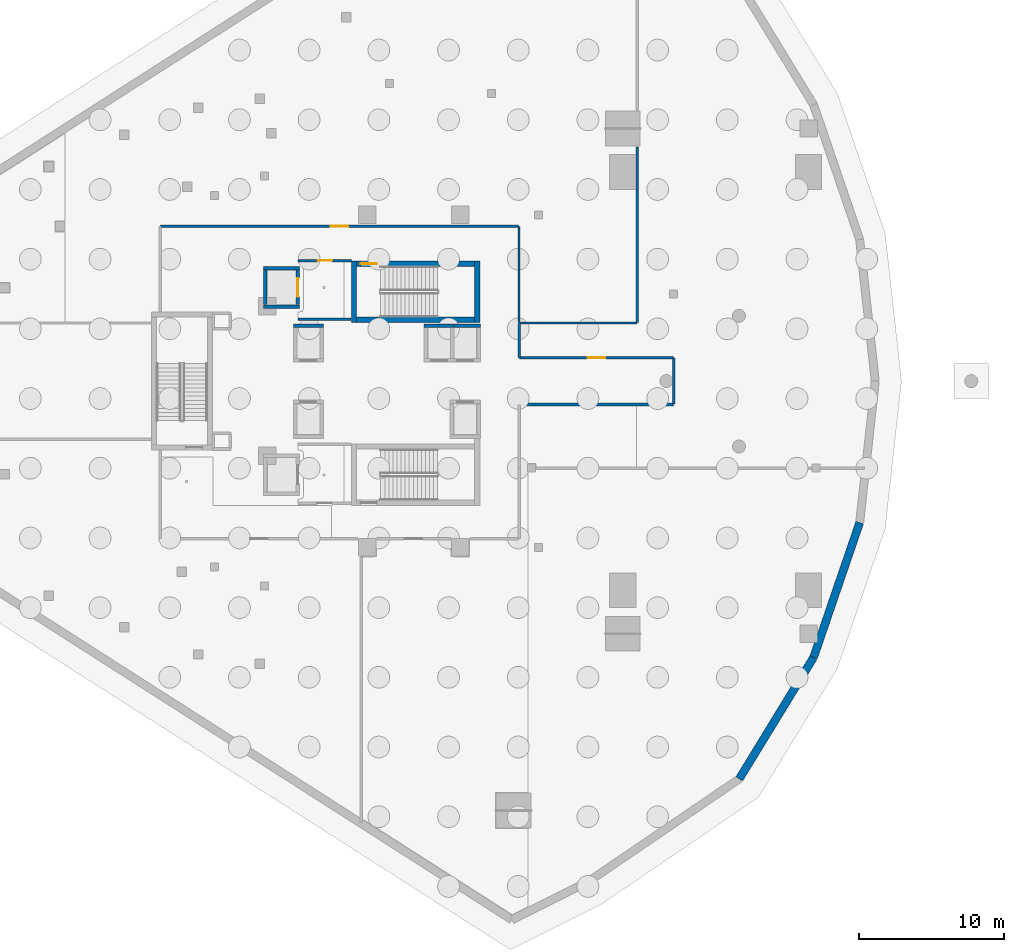
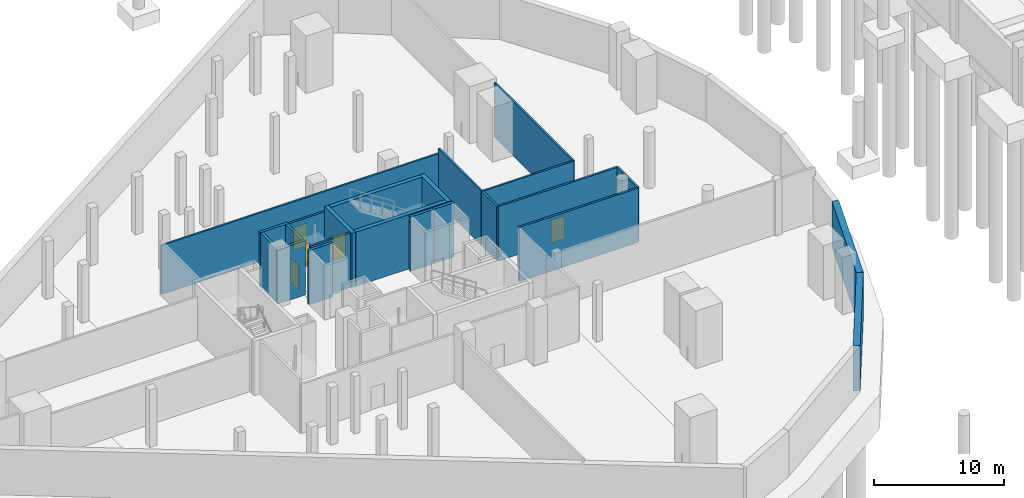
# One storey, part 6 of 22: 23 walls, 5 doors, 5 openings.
"""IFC4 building model written with IfcOpenShell, lengths in metres."""

import ifcopenshell
import ifcopenshell.guid

model = None  # the IFC model being written
_history = None  # IfcOwnerHistory: only IFC2X3 demands one
_inside = {}  # id of a spatial element -> (the spatial element, [elements in it])
_under = {}  # id of a project, library or spatial element -> (it, [spatial elements below it])
_declared = {}  # id of a project -> (the project, [libraries it declares])
_typed = {}  # id of a type object -> (the type object, [elements of that type])
_made_of = {}  # id of a material, layer set ... -> (it, [elements and type objects made of it])


def new_model(schema):
    """Start an empty IFC model of exactly this schema.

    Asked for "IFC4X3", IfcOpenShell would pick the latest addendum, in which some entities
    have other attributes; the version numbers below select the first issue.
    IFC2X3 requires an IfcOwnerHistory on every rooted entity: one is made here for all.
    """
    global model, _history
    if schema == "IFC4X3":
        model = ifcopenshell.file(schema_version=(4, 3, 0, 0))
    else:
        model = ifcopenshell.file(schema=schema)
    _inside.clear()
    _under.clear()
    _declared.clear()
    _typed.clear()
    _made_of.clear()
    _history = None
    if model.schema == "IFC2X3":
        org = make("IfcOrganization", Name="unknown")
        user = make(
            "IfcPersonAndOrganization",
            ThePerson=make("IfcPerson", FamilyName="unknown"),
            TheOrganization=org,
        )
        app = make(
            "IfcApplication",
            ApplicationDeveloper=org,
            Version="unknown",
            ApplicationFullName="unknown",
            ApplicationIdentifier="unknown",
        )
        _history = make(
            "IfcOwnerHistory",
            OwningUser=user,
            OwningApplication=app,
            ChangeAction="ADDED",
            CreationDate=0,
        )
    return model


def make(cls, **values):
    """One entity of the class cls with the attributes given. An attribute that is None is left unset."""
    return model.create_entity(
        cls, **{name: value for name, value in values.items() if value is not None}
    )


def rooted(cls, **values):
    """An entity with a GlobalId (a new one), such as an element, a storey or a relation."""
    return make(cls, GlobalId=ifcopenshell.guid.new(), OwnerHistory=_history, **values)


def si_unit(unit_type, name, prefix=None):
    """IfcSIUnit, for example si_unit("LENGTHUNIT", "METRE", prefix="MILLI")."""
    return make("IfcSIUnit", UnitType=unit_type, Prefix=prefix, Name=name)


def assignment(units):
    """IfcUnitAssignment: the units of a project."""
    return None if units is None else make("IfcUnitAssignment", Units=units)


def point(xyz):
    """IfcCartesianPoint."""
    return None if xyz is None else make("IfcCartesianPoint", Coordinates=xyz)


def direction(xyz):
    """IfcDirection."""
    return None if xyz is None else make("IfcDirection", DirectionRatios=xyz)


def frame(location, z_axis=None, x_axis=None):
    """IfcAxis2Placement3D, a coordinate frame: its origin and axes. An axis left out is left unset."""
    return make(
        "IfcAxis2Placement3D",
        Location=point(location),
        Axis=direction(z_axis),
        RefDirection=direction(x_axis),
    )


def frame_2d(location, x_axis=None):
    """IfcAxis2Placement2D, a coordinate frame in the plane: its origin and x axis."""
    return make(
        "IfcAxis2Placement2D", Location=point(location), RefDirection=direction(x_axis)
    )


def origin():
    """The frame at (0, 0, 0) with its axes left unset."""
    return frame((0.0, 0.0, 0.0))


def place(relative_to, where):
    """IfcLocalPlacement: puts the frame where relative to a parent placement (None: the world)."""
    return make(
        "IfcLocalPlacement", PlacementRelTo=relative_to, RelativePlacement=where
    )


def context(
    kind, dimensions, precision=None, world=None, true_north=None, identifier=None
):
    """IfcGeometricRepresentationContext, for example the 3D "Model" context."""
    return make(
        "IfcGeometricRepresentationContext",
        ContextIdentifier=identifier,
        ContextType=kind,
        CoordinateSpaceDimension=dimensions,
        Precision=precision,
        WorldCoordinateSystem=world,
        TrueNorth=true_north,
    )


def subcontext(parent, identifier, kind, view, scale=None):
    """IfcGeometricRepresentationSubContext, for example "Body" below "Model"."""
    return make(
        "IfcGeometricRepresentationSubContext",
        ContextIdentifier=identifier,
        ContextType=kind,
        ParentContext=parent,
        TargetScale=scale,
        TargetView=view,
    )


def project(units=None, contexts=None):
    """IfcProject with its units and contexts."""
    return rooted(
        "IfcProject",
        Name="project",
        RepresentationContexts=contexts,
        UnitsInContext=assignment(units),
    )


def spatial(cls, under=None, at=None, **own):
    """A site, building, storey or space (cls), placed at a placement, below another one or the project."""
    s = rooted(cls, ObjectPlacement=at, **own)
    if under is not None:
        _under.setdefault(under.id(), (under, []))[1].append(s)
    return s


def profile(cls, at=None, kind="AREA", **sizes):
    """A parametric profile (cls). Its sizes go by their IFC names, for example OverallWidth=200.0."""
    return make(cls, ProfileType=kind, Position=at, **sizes)


def rectangle(**sizes):
    """IfcRectangleProfileDef."""
    return profile("IfcRectangleProfileDef", **sizes)


def extrude(swept, where, along, depth):
    """IfcExtrudedAreaSolid: the profile swept, set in the frame where, extruded along a direction by depth."""
    return make(
        "IfcExtrudedAreaSolid",
        SweptArea=swept,
        Position=where,
        ExtrudedDirection=direction(along),
        Depth=depth,
    )


def shape(context_of_items, identifier, shape_type, items):
    """IfcShapeRepresentation: the items that make up one representation, for example the "Body"."""
    return make(
        "IfcShapeRepresentation",
        ContextOfItems=context_of_items,
        RepresentationIdentifier=identifier,
        RepresentationType=shape_type,
        Items=items,
    )


def material(Name=None, Category=None):
    """IfcMaterial."""
    return make("IfcMaterial", Name=Name, Category=Category)


def layer(
    of_material, thickness, ventilated=None, Name=None, Category=None, Priority=None
):
    """IfcMaterialLayer: one layer of a wall or slab, of a material (None: an air gap)."""
    return make(
        "IfcMaterialLayer",
        Material=of_material,
        LayerThickness=thickness,
        IsVentilated=ventilated,
        Name=Name,
        Category=Category,
        Priority=Priority,
    )


def layer_set(layers, Name=None):
    """IfcMaterialLayerSet."""
    return make("IfcMaterialLayerSet", MaterialLayers=layers, LayerSetName=Name)


def made_of(thing, what):
    """Note that an element or type object is made of a material, layer set ...; save() writes the relation."""
    if what is not None:
        _made_of.setdefault(what.id(), (what, []))[1].append(thing)
    return thing


def type_object(cls, material=None, **own):
    """A type object (cls), such as IfcWallType, which elements share."""
    return made_of(rooted(cls, **own), material)


def element(
    cls,
    number,
    at=None,
    inside=None,
    cuts=None,
    type_object=None,
    material=None,
    context=None,
    identifier="Body",
    shape_type=None,
    held_by="IfcProductDefinitionShape",
    body=None,
    shapes=None,
    **own,
):
    """One element of the class cls, such as IfcWall. Its Tag is "e" and its number.

    at: its placement. inside: the storey or other place that contains it. cuts: it is an
    opening in that element (IfcRelVoidsElement). A single representation is given by context,
    identifier, shape_type and body (its items); several are given by shapes. held_by: the class
    of the entity that holds the representations. save() writes the other relations.
    """
    e = rooted(cls, Tag="e%d" % number, ObjectPlacement=at, **own)
    if body is not None:
        shapes = [shape(context, identifier, shape_type, body)]
    if shapes is not None:
        e.Representation = make(held_by, Representations=shapes)
    if inside is not None:
        _inside.setdefault(inside.id(), (inside, []))[1].append(e)
    if cuts is not None:
        rooted(
            "IfcRelVoidsElement", RelatingBuildingElement=cuts, RelatedOpeningElement=e
        )
    if type_object is not None:
        _typed.setdefault(type_object.id(), (type_object, []))[1].append(e)
    return made_of(e, material)


def fill(opening, filler):
    """IfcRelFillsElement: the door or window that sits in an opening."""
    return rooted(
        "IfcRelFillsElement",
        RelatingOpeningElement=opening,
        RelatedBuildingElement=filler,
    )


def aggregate(whole, parts):
    """IfcRelAggregates: a whole, such as a stair, and the parts it consists of."""
    return rooted("IfcRelAggregates", RelatingObject=whole, RelatedObjects=parts)


def save(model, path):
    """Write the relations noted so far, then the file.

    IfcRelAggregates (storeys below a building ...), IfcRelContainedInSpatialStructure (elements
    in a storey), IfcRelDefinesByType, IfcRelAssociatesMaterial and IfcRelDeclares: one each for
    every whole, place, type object, material and project.
    """
    for whole, parts in _under.values():
        aggregate(whole, parts)
    for where, things in _inside.values():
        rooted(
            "IfcRelContainedInSpatialStructure",
            RelatedElements=things,
            RelatingStructure=where,
        )
    for kind, things in _typed.values():
        rooted("IfcRelDefinesByType", RelatedObjects=things, RelatingType=kind)
    for what, things in _made_of.values():
        rooted("IfcRelAssociatesMaterial", RelatedObjects=things, RelatingMaterial=what)
    for by, libraries in _declared.values():
        rooted("IfcRelDeclares", RelatingContext=by, RelatedDefinitions=libraries)
    model.write(path)


model = new_model("IFC4")

# Units and contexts
model_context = context("Model", 3, precision=1e-05, world=origin(), true_north=direction((0.0, 1.0)))
body_context = subcontext(model_context, "Body", "Model", "MODEL_VIEW")
ifc_project = project(units=[si_unit("LENGTHUNIT", "METRE"), si_unit("AREAUNIT", "SQUARE_METRE"), si_unit("VOLUMEUNIT", "CUBIC_METRE"), si_unit("PLANEANGLEUNIT", "RADIAN"), si_unit("MASSUNIT", "GRAM", prefix="KILO")], contexts=[model_context])

# Site, building, storey
site_placement = place(None, origin())
site = spatial("IfcSite", under=ifc_project, at=site_placement, CompositionType="ELEMENT")
building_placement = place(site_placement, origin())
building = spatial("IfcBuilding", under=site, at=building_placement, Name="Qorvath Tower", CompositionType="ELEMENT")
storey_placement = place(building_placement, frame((0.0, 0.0, -5.39990234375)))
storey = spatial("IfcBuildingStorey", under=building, at=storey_placement, Name="B01", CompositionType="ELEMENT", Elevation=-5.39990234375)

# Wall
ifc_material_1 = material(Name="Gypsum shaftliner on steel studs", Category="steel")
ifc_layer_1 = layer(ifc_material_1, 0.179931640625)
ifc_layer_set_1 = layer_set([ifc_layer_1], Name="FW-LOBBY")
wall_type_1 = type_object("IfcWallType", Name="FW-LOBBY", PredefinedType="PARTITIONING", material=ifc_layer_set_1)
wall_1_placement = place(storey_placement, frame((-28.35498046875, 4.25, 0.0), z_axis=(0.0, 0.0, 1.0), x_axis=(1.0, 0.0, 0.0)))
element("IfcWall", 1, at=wall_1_placement, inside=storey, type_object=wall_type_1, Name="Interior Partition IW-T1-B01-001", PredefinedType="PARTITIONING", context=body_context, shape_type="SweptSolid", body=[
    extrude(rectangle(XDim=3.6220703125, YDim=0.179931640625, at=frame_2d((1.81103515625, 0.0))), origin(), (0.0, 0.0, 1.0), 5.099853515625),
])

# Wall, opening, door
wall_2_placement = place(storey_placement, frame((-24.68408203125, 8.300048828125, 0.0), z_axis=(0.0, 0.0, 1.0), x_axis=(-1.0, 0.0, 0.0)))
wall_2 = element("IfcWall", 2, at=wall_2_placement, inside=storey, type_object=wall_type_1, Name="Interior Partition IW-T1-B01-002", PredefinedType="PARTITIONING", context=body_context, shape_type="SweptSolid", body=[
    extrude(rectangle(XDim=3.6708984375, YDim=0.179931640625, at=frame_2d((1.83544921875, 0.0))), origin(), (0.0, 0.0, 1.0), 4.61279296875),
])
opening_1_placement = place(wall_2_placement, frame((1.33544921875, 0.0, 0.0)))
opening_1 = element("IfcOpeningElement", 3, at=opening_1_placement, cuts=wall_2, Name="Opening D-T1-B01-05", PredefinedType="OPENING", context=body_context, shape_type="SweptSolid", body=[
    extrude(rectangle(XDim=1.0, YDim=2.14990234375, at=frame_2d((0.5, 1.074951171875))), frame((0.0, 0.10009765625, 0.0), z_axis=(0.0, -1.0, 0.0), x_axis=(1.0, 0.0, 0.0)), (0.0, 0.0, 1.0), 0.199951171875),
])
ifc_material_2 = material(Name="Painted galvanised hollow metal", Category="steel")
door_type_1 = type_object("IfcDoorType", Name="FD-60", OperationType="NOTDEFINED", PredefinedType="DOOR", material=ifc_material_2)
door_1_placement = place(opening_1_placement, origin())
door_1 = element("IfcDoor", 4, at=door_1_placement, inside=storey, type_object=door_type_1, Name="Lobby Fire Service Elevator North Door D-T1-B01-05", OperationType="SINGLE_SWING_RIGHT", OverallHeight=2.14990234375, OverallWidth=1.0, PredefinedType="DOOR", context=body_context, shape_type="SweptSolid", body=[
    extrude(rectangle(XDim=1.0, YDim=2.14990234375, at=frame_2d((0.5, 1.074951171875))), frame((0.0, 0.02490234375, 0.0), z_axis=(0.0, -1.0, 0.0), x_axis=(1.0, 0.0, 0.0)), (0.0, 0.0, 1.0), 0.050048828125),
])
fill(opening_1, door_1)

# Wall
wall_3_placement = place(storey_placement, frame((-13.14208984375, 3.966796875, 0.0), z_axis=(0.0, 0.0, 1.0), x_axis=(0.0, -1.0, 0.0)))
element("IfcWall", 5, at=wall_3_placement, inside=storey, type_object=wall_type_1, Name="Interior Partition IW-T1-B01-023", PredefinedType="PARTITIONING", context=body_context, shape_type="SweptSolid", body=[
    extrude(rectangle(XDim=2.333984375, YDim=0.179931640625, at=frame_2d((1.1669921875, 0.0))), origin(), (0.0, 0.0, 1.0), 5.099853515625),
])

# Wall, opening, door
wall_4_placement = place(storey_placement, frame((-13.1171875, 1.60791015625, 0.0), z_axis=(0.0, 0.0, 1.0), x_axis=(1.0, 0.0, 0.0)))
wall_4 = element("IfcWall", 6, at=wall_4_placement, inside=storey, type_object=wall_type_1, Name="Interior Partition IW-T1-B01-024", PredefinedType="PARTITIONING", context=body_context, shape_type="SweptSolid", body=[
    extrude(rectangle(XDim=10.600341796875, YDim=0.179931640625, at=frame_2d((5.30029296875, 0.0))), origin(), (0.0, 0.0, 1.0), 5.099853515625),
])
opening_2_placement = place(wall_4_placement, frame((4.7001953125, 0.0, 0.0)))
opening_2 = element("IfcOpeningElement", 7, at=opening_2_placement, cuts=wall_4, Name="Opening D-T1-B01-04", PredefinedType="OPENING", context=body_context, shape_type="SweptSolid", body=[
    extrude(rectangle(XDim=1.199951171875, YDim=2.14990234375, at=frame_2d((0.60009765625, 1.074951171875))), frame((0.0, 0.10009765625, 0.0), z_axis=(0.0, -1.0, 0.0), x_axis=(1.0, 0.0, 0.0)), (0.0, 0.0, 1.0), 0.199951171875),
])
ifc_material_3 = material(Name="Painted galvanised hollow metal", Category="steel")
door_type_2 = type_object("IfcDoorType", Name="FD-60W", OperationType="NOTDEFINED", PredefinedType="DOOR", material=ifc_material_3)
door_2_placement = place(opening_2_placement, origin())
door_2 = element("IfcDoor", 8, at=door_2_placement, inside=storey, type_object=door_type_2, Name="Plant Emergency Generator Hall Door D-T1-B01-04", OperationType="SINGLE_SWING_LEFT", OverallHeight=2.14990234375, OverallWidth=1.199951171875, PredefinedType="DOOR", context=body_context, shape_type="SweptSolid", body=[
    extrude(rectangle(XDim=1.199951171875, YDim=2.14990234375, at=frame_2d((0.60009765625, 1.074951171875))), frame((0.0, 0.02490234375, 0.0), z_axis=(0.0, -1.0, 0.0), x_axis=(1.0, 0.0, 0.0)), (0.0, 0.0, 1.0), 0.050048828125),
])
fill(opening_2, door_2)

# Walls
wall_5_placement = place(storey_placement, frame((-2.491943359375, 1.5830078125, 0.0), z_axis=(0.0, 0.0, 1.0), x_axis=(0.0, -1.0, 0.0)))
element("IfcWall", 9, at=wall_5_placement, inside=storey, type_object=wall_type_1, Name="Interior Partition IW-T1-B01-025", PredefinedType="PARTITIONING", context=body_context, shape_type="SweptSolid", body=[
    extrude(rectangle(XDim=3.166015625, YDim=0.179931640625, at=frame_2d((1.5830078125, 0.0))), origin(), (0.0, 0.0, 1.0), 5.099853515625),
])
wall_6_placement = place(storey_placement, frame((-13.1171875, -1.60791015625, 0.0), z_axis=(0.0, 0.0, 1.0), x_axis=(1.0, 0.0, 0.0)))
element("IfcWall", 10, at=wall_6_placement, inside=storey, type_object=wall_type_1, Name="Interior Partition IW-T1-B01-026", PredefinedType="PARTITIONING", context=body_context, shape_type="SweptSolid", body=[
    extrude(rectangle(XDim=10.600341796875, YDim=0.179931640625, at=frame_2d((5.30029296875, 0.0))), origin(), (0.0, 0.0, 1.0), 5.099853515625),
])

# Wall, opening, door
ifc_material_4 = material(Name="Double acoustic gypsum board on steel studs", Category="steel")
ifc_layer_2 = layer(ifc_material_4, 0.159912109375)
ifc_layer_set_2 = layer_set([ifc_layer_2], Name="IW-ACOUSTIC-160")
wall_type_2 = type_object("IfcWallType", Name="IW-ACOUSTIC-160", PredefinedType="PARTITIONING", material=ifc_layer_set_2)
wall_7_placement = place(storey_placement, frame((-37.8330078125, 10.657958984375, 0.0), z_axis=(0.0, 0.0, 1.0), x_axis=(1.0, 0.0, 0.0)))
wall_7 = element("IfcWall", 11, at=wall_7_placement, inside=storey, type_object=wall_type_2, Name="Interior Partition IW-T1-B01-008", PredefinedType="PARTITIONING", context=body_context, shape_type="SweptSolid", body=[
    extrude(rectangle(XDim=24.666015625, YDim=0.159912109375, at=frame_2d((12.3330078125, 0.0))), origin(), (0.0, 0.0, 1.0), 4.61279296875),
])
opening_3_placement = place(wall_7_placement, frame((11.73291015625, 0.0, 0.0)))
opening_3 = element("IfcOpeningElement", 12, at=opening_3_placement, cuts=wall_7, Name="Opening D-T1-B01-01", PredefinedType="OPENING", context=body_context, shape_type="SweptSolid", body=[
    extrude(rectangle(XDim=1.199951171875, YDim=2.14990234375, at=frame_2d((0.60009765625, 1.074951171875))), frame((0.0, 0.08984375, 0.0), z_axis=(0.0, -1.0, 0.0), x_axis=(1.0, 0.0, 0.0)), (0.0, 0.0, 1.0), 0.179931640625),
])
ifc_material_5 = material(Name="Painted hollow steel utility leaf", Category="steel")
door_type_3 = type_object("IfcDoorType", Name="D-05", OperationType="NOTDEFINED", PredefinedType="DOOR", material=ifc_material_5)
door_3_placement = place(opening_3_placement, origin())
door_3 = element("IfcDoor", 13, at=door_3_placement, inside=storey, type_object=door_type_3, Name="Plant Central Chilled Water Hall Door D-T1-B01-01", OperationType="SINGLE_SWING_RIGHT", OverallHeight=2.14990234375, OverallWidth=1.199951171875, PredefinedType="DOOR", context=body_context, shape_type="SweptSolid", body=[
    extrude(rectangle(XDim=1.199951171875, YDim=2.14990234375, at=frame_2d((0.60009765625, 1.074951171875))), frame((0.0, 0.02490234375, 0.0), z_axis=(0.0, -1.0, 0.0), x_axis=(1.0, 0.0, 0.0)), (0.0, 0.0, 1.0), 0.050048828125),
])
fill(opening_3, door_3)

# Walls
wall_8_placement = place(storey_placement, frame((-13.14208984375, 4.02490234375, 0.0), z_axis=(0.0, 0.0, 1.0), x_axis=(0.0, 1.0, 0.0)))
element("IfcWall", 14, at=wall_8_placement, inside=storey, type_object=wall_type_2, Name="Interior Partition IW-T1-B01-009", PredefinedType="PARTITIONING", context=body_context, shape_type="SweptSolid", body=[
    extrude(rectangle(XDim=6.608154296875, YDim=0.159912109375, at=frame_2d((3.30419921875, 0.0))), origin(), (0.0, 0.0, 1.0), 5.099853515625),
])
wall_9_placement = place(storey_placement, frame((-13.1171875, 4.0, 0.0), z_axis=(0.0, 0.0, 1.0), x_axis=(1.0, 0.0, 0.0)))
element("IfcWall", 15, at=wall_9_placement, inside=storey, type_object=wall_type_2, Name="Interior Partition IW-T1-B01-010", PredefinedType="PARTITIONING", context=body_context, shape_type="SweptSolid", body=[
    extrude(rectangle(XDim=8.09228515625, YDim=0.159912109375, at=frame_2d((4.046142578125, 0.0))), origin(), (0.0, 0.0, 1.0), 5.099853515625),
])
wall_10_placement = place(storey_placement, frame((-5.0, 4.02490234375, 0.0), z_axis=(0.0, 0.0, 1.0), x_axis=(0.0, 1.0, 0.0)))
element("IfcWall", 16, at=wall_10_placement, inside=storey, type_object=wall_type_2, Name="Interior Partition IW-T1-B01-011", PredefinedType="PARTITIONING", context=body_context, shape_type="SweptSolid", body=[
    extrude(rectangle(XDim=12.110107421875, YDim=0.159912109375, at=frame_2d((6.05517578125, 0.0))), origin(), (0.0, 0.0, 1.0), 5.099853515625),
])
ifc_material_6 = material(Name="Concrete C60/75", Category="concrete")
ifc_layer_3 = layer(ifc_material_6, 0.260009765625)
ifc_layer_set_3 = layer_set([ifc_layer_3], Name="SW-SHAFT")
wall_type_3 = type_object("IfcWallType", Name="SW-SHAFT", PredefinedType="SHEAR", material=ifc_layer_set_3)
for number, where, z_axis, x_axis, name in (
    (17, (-28.260009765625, 5.1298828125, 0.0), (0.0, 0.0, 1.0), (-1.0, 0.0, 0.0), "Hoistway Wall FSAE-1 B01 S"),
    (18, (-30.739990234375, 7.77001953125, 0.0), (0.0, 0.0, 1.0), (1.0, 0.0, 0.0), "Hoistway Wall FSAE-1 B01 N"),
):
    element("IfcWall", number, at=place(storey_placement, frame(where, z_axis=z_axis, x_axis=x_axis)), inside=storey, type_object=wall_type_3, Name=name, PredefinedType="SHEAR", context=body_context, shape_type="SweptSolid", body=[
        extrude(rectangle(XDim=2.47998046875, YDim=0.239990234375, at=frame_2d((1.239990234375, 0.0))), origin(), (0.0, 0.0, 1.0), 5.099853515625),
    ])
wall_11_placement = place(storey_placement, frame((-30.6201171875, 5.261962890625, 0.0), z_axis=(0.0, 0.0, 1.0), x_axis=(0.0, 1.0, 0.0)))
element("IfcWall", 19, at=wall_11_placement, inside=storey, type_object=wall_type_3, Name="Hoistway Wall FSAE-1 B01 W", PredefinedType="SHEAR", context=body_context, shape_type="SweptSolid", body=[
    extrude(rectangle(XDim=2.3759765625, YDim=0.239990234375, at=frame_2d((1.18798828125, 0.0))), origin(), (0.0, 0.0, 1.0), 5.099853515625),
])

# Wall, opening, door
wall_12_placement = place(storey_placement, frame((-28.3798828125, 7.637939453125, 0.0), z_axis=(0.0, 0.0, 1.0), x_axis=(0.0, -1.0, 0.0)))
wall_12 = element("IfcWall", 20, at=wall_12_placement, inside=storey, type_object=wall_type_3, Name="Hoistway Wall FSAE-1 B01 E", PredefinedType="SHEAR", context=body_context, shape_type="SweptSolid", body=[
    extrude(rectangle(XDim=2.3759765625, YDim=0.239990234375, at=frame_2d((1.18798828125, 0.0))), origin(), (0.0, 0.0, 1.0), 5.099853515625),
])
opening_4_placement = place(wall_12_placement, frame((0.537841796875, 0.0, 0.0)))
opening_4 = element("IfcOpeningElement", 21, at=opening_4_placement, cuts=wall_12, Name="Opening LD-FSAE-1-B01", PredefinedType="OPENING", context=body_context, shape_type="SweptSolid", body=[
    extrude(rectangle(XDim=1.300048828125, YDim=2.300048828125, at=frame_2d((0.64990234375, 1.14990234375))), frame((0.0, 0.1298828125, 0.0), z_axis=(0.0, -1.0, 0.0), x_axis=(1.0, 0.0, 0.0)), (0.0, 0.0, 1.0), 0.260009765625),
])
ifc_material_7 = material(Name="Brushed stainless steel AISI 316", Category="steel")
door_type_4 = type_object("IfcDoorType", Name="LD-02", OperationType="NOTDEFINED", PredefinedType="DOOR", material=ifc_material_7)
door_4_placement = place(opening_4_placement, origin())
door_4 = element("IfcDoor", 22, at=door_4_placement, inside=storey, type_object=door_type_4, Name="Elevator Landing Sliding Door LD-FSAE-1-B01", OperationType="DOUBLE_DOOR_SLIDING", OverallHeight=2.300048828125, OverallWidth=1.300048828125, PredefinedType="DOOR", context=body_context, shape_type="SweptSolid", body=[
    extrude(rectangle(XDim=1.300048828125, YDim=2.300048828125, at=frame_2d((0.64990234375, 1.14990234375))), frame((0.0, 0.02490234375, 0.0), z_axis=(0.0, -1.0, 0.0), x_axis=(1.0, 0.0, 0.0)), (0.0, 0.0, 1.0), 0.050048828125),
])
fill(opening_4, door_4)

# Walls
for number, where, z_axis, x_axis, name in (
    (23, (-28.68994140625, 3.820068359375, 0.0), (0.0, 0.0, 1.0), (1.0, 0.0, 0.0), "Hoistway Wall PS-1 B01 N"),
    (24, (-19.68994140625, 3.820068359375, 0.0), (0.0, 0.0, 1.0), (1.0, 0.0, 0.0), "Hoistway Wall PL-1 B01 N"),
):
    element("IfcWall", number, at=place(storey_placement, frame(where, z_axis=z_axis, x_axis=x_axis)), inside=storey, type_object=wall_type_3, Name=name, PredefinedType="SHEAR", context=body_context, shape_type="SweptSolid", body=[
        extrude(rectangle(XDim=2.079833984375, YDim=0.239990234375, at=frame_2d((1.0400390625, 0.0))), origin(), (0.0, 0.0, 1.0), 5.099853515625),
    ])
wall_13_placement = place(storey_placement, frame((-17.610107421875, 3.820068359375, 0.0), z_axis=(0.0, 0.0, 1.0), x_axis=(1.0, 0.0, 0.0)))
element("IfcWall", 25, at=wall_13_placement, inside=storey, type_object=wall_type_3, Name="Hoistway Wall PL-3 B01 N", PredefinedType="SHEAR", context=body_context, shape_type="SweptSolid", body=[
    extrude(rectangle(XDim=1.800048828125, YDim=0.239990234375, at=frame_2d((0.89990234375, 0.0))), origin(), (0.0, 0.0, 1.0), 5.099853515625),
])
ifc_material_8 = material(Name="Concrete C60/75", Category="concrete")
ifc_layer_4 = layer(ifc_material_8, 0.35009765625)
ifc_layer_set_4 = layer_set([ifc_layer_4], Name="SW-STAIR")
wall_type_4 = type_object("IfcWallType", Name="SW-STAIR", PredefinedType="SHEAR", material=ifc_layer_set_4)
for number, where, z_axis, x_axis, name in (
    (26, (-24.52490234375, 8.260009765625, 0.0), (0.0, 0.0, 1.0), (0.0, -1.0, 0.0), "Stair TS1 Shear Wall B01 NEAR"),
    (27, (-16.02490234375, 4.050048828125, 0.0), (0.0, 0.0, 1.0), (0.0, 1.0, 0.0), "Stair TS1 Shear Wall B01 FAR"),
):
    element("IfcWall", number, at=place(storey_placement, frame(where, z_axis=z_axis, x_axis=x_axis)), inside=storey, type_object=wall_type_4, Name=name, PredefinedType="SHEAR", context=body_context, shape_type="SweptSolid", body=[
        extrude(rectangle(XDim=4.2099609375, YDim=0.35009765625, at=frame_2d((2.10498046875, 0.0))), origin(), (0.0, 0.0, 1.0), 5.099853515625),
    ])
wall_14_placement = place(storey_placement, frame((-24.3349609375, 4.22509765625, 0.0), z_axis=(0.0, 0.0, 1.0), x_axis=(1.0, 0.0, 0.0)))
element("IfcWall", 28, at=wall_14_placement, inside=storey, type_object=wall_type_4, Name="Stair TS1 Shear Wall B01 LEFT", PredefinedType="SHEAR", context=body_context, shape_type="SweptSolid", body=[
    extrude(rectangle(XDim=8.119873046875, YDim=0.35009765625, at=frame_2d((4.06005859375, 0.0))), origin(), (0.0, 0.0, 1.0), 5.099853515625),
])

# Wall, opening, door
wall_15_placement = place(storey_placement, frame((-16.215087890625, 8.0849609375, 0.0), z_axis=(0.0, 0.0, 1.0), x_axis=(-1.0, 0.0, 0.0)))
wall_15 = element("IfcWall", 29, at=wall_15_placement, inside=storey, type_object=wall_type_4, Name="Stair TS1 Shear Wall B01 RIGHT", PredefinedType="SHEAR", context=body_context, shape_type="SweptSolid", body=[
    extrude(rectangle(XDim=8.119873046875, YDim=0.35009765625, at=frame_2d((4.06005859375, 0.0))), origin(), (0.0, 0.0, 1.0), 5.099853515625),
])
opening_5_placement = place(wall_15_placement, frame((6.739990234375, 0.0, 0.0)))
opening_5 = element("IfcOpeningElement", 30, at=opening_5_placement, cuts=wall_15, Name="Opening D-TS1-B01", PredefinedType="OPENING", context=body_context, shape_type="SweptSolid", body=[
    extrude(rectangle(XDim=1.10009765625, YDim=2.199951171875, at=frame_2d((0.550048828125, 1.10009765625))), frame((0.0, 0.18505859375, 0.0), z_axis=(0.0, -1.0, 0.0), x_axis=(1.0, 0.0, 0.0)), (0.0, 0.0, 1.0), 0.3701171875),
])
ifc_material_9 = material(Name="Painted galvanised hollow metal", Category="steel")
door_type_5 = type_object("IfcDoorType", Name="FD-90", OperationType="NOTDEFINED", PredefinedType="DOOR", material=ifc_material_9)
door_5_placement = place(opening_5_placement, origin())
door_5 = element("IfcDoor", 31, at=door_5_placement, inside=storey, type_object=door_type_5, Name="Stair TS1 Fire Door B01", OperationType="SINGLE_SWING_RIGHT", OverallHeight=2.199951171875, OverallWidth=1.10009765625, PredefinedType="DOOR", context=body_context, shape_type="SweptSolid", body=[
    extrude(rectangle(XDim=1.10009765625, YDim=2.199951171875, at=frame_2d((0.550048828125, 1.10009765625))), frame((0.0, 0.02490234375, 0.0), z_axis=(0.0, -1.0, 0.0), x_axis=(1.0, 0.0, 0.0)), (0.0, 0.0, 1.0), 0.050048828125),
])
fill(opening_5, door_5)

# Walls
ifc_material_10 = material(Name="Concrete C50/60", Category="concrete")
ifc_layer_5 = layer(ifc_material_10, 0.550048828125)
ifc_layer_set_5 = layer_set([ifc_layer_5], Name="WL-RW-550")
wall_type_5 = type_object("IfcWallType", Name="WL-RW-550", PredefinedType="USERDEFINED", material=ifc_layer_set_5)
for number, where, z_axis, x_axis, name in (
    (32, (2.0205078125, -27.39501953125, 0.0), (0.0, 0.0, 1.0), (0.521922160909, 0.852993117178, 0.0), "Tower Basement Retaining Wall 5"),
    (33, (7.139404296875, -19.029052734375, 0.0), (0.0, 0.0, 1.0), (0.323529337119, 0.946218139767, 0.0), "Tower Basement Retaining Wall 6"),
):
    element("IfcWall", number, at=place(storey_placement, frame(where, z_axis=z_axis, x_axis=x_axis)), inside=storey, type_object=wall_type_5, Name=name, ObjectType="RETAININGWALL", PredefinedType="USERDEFINED", context=body_context, shape_type="SweptSolid", body=[
        extrude(rectangle(XDim=9.807861328125, YDim=0.550048828125, at=frame_2d((4.90380859375, 0.0))), origin(), (0.0, 0.0, 1.0), 4.2998046875),
    ])

save(model, "model.ifc")
